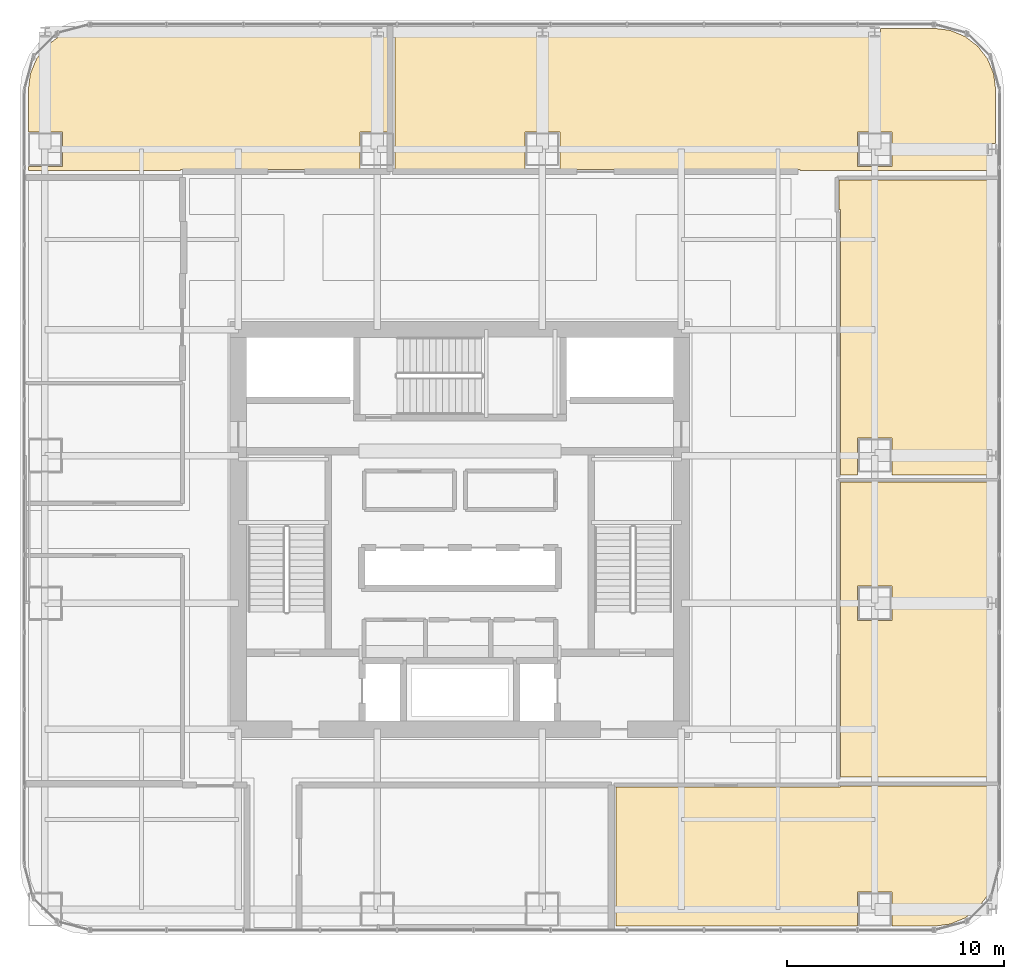
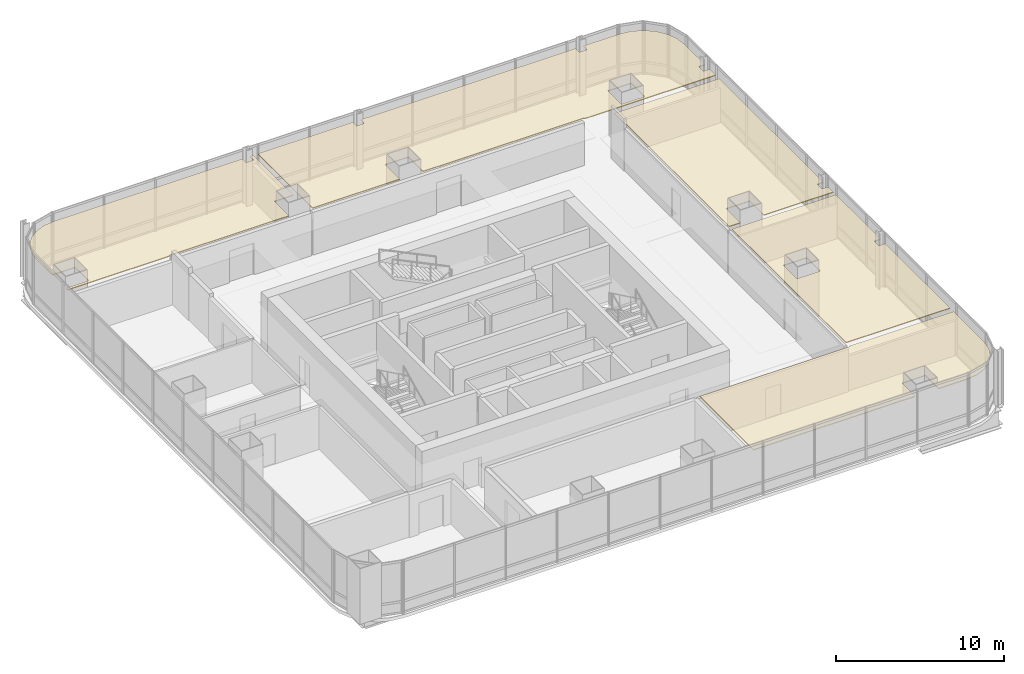
# One storey, part 34 of 34: 5 coverings.
"""IFC4 building model written with IfcOpenShell, lengths in metres."""

from ifc_helpers import new_model, si_unit, direction, frame, origin, place, context, subcontext, project, spatial, polyline, outline, extrude, material, layer, layer_set, type_object, element, save


model = new_model("IFC4")

# Units and contexts
model_context = context("Model", 3, precision=1e-05, world=origin(), true_north=direction((0.0, 1.0)))
body_context = subcontext(model_context, "Body", "Model", "MODEL_VIEW")
ifc_project = project(units=[si_unit("LENGTHUNIT", "METRE"), si_unit("AREAUNIT", "SQUARE_METRE"), si_unit("VOLUMEUNIT", "CUBIC_METRE"), si_unit("PLANEANGLEUNIT", "RADIAN"), si_unit("MASSUNIT", "GRAM", prefix="KILO")], contexts=[model_context])

# Site, building, storey
site_placement = place(None, origin())
site = spatial("IfcSite", under=ifc_project, at=site_placement, CompositionType="ELEMENT")
building_placement = place(site_placement, origin())
building = spatial("IfcBuilding", under=site, at=building_placement, Name="Punatoya Terracotta Tower", CompositionType="ELEMENT")
storey_placement = place(building_placement, frame((0.0, 0.0, 97.050048828125)))
storey = spatial("IfcBuildingStorey", under=building, at=storey_placement, Name="L22", CompositionType="ELEMENT", Elevation=97.050048828125)

# Coverings
ifc_material = material(Name="Acoustic Mineral Fibre Ceiling")
ifc_layer = layer(ifc_material, 0.06005859375)
ifc_layer_set = layer_set([ifc_layer], Name="Acoustic Mineral Fibre Ceiling")
covering_type = type_object("IfcCoveringType", Name="COV-CEIL-60", PredefinedType="CEILING", material=ifc_layer_set)
covering_1_placement = place(storey_placement, frame((0.0, 0.0, 3.199951171875)))
element("IfcCovering", 1, at=covering_1_placement, inside=storey, type_object=covering_type, Name="L22 Open-Plan Catering Tea Pantry Acoustic Ceiling", PredefinedType="CEILING", context=body_context, shape_type="SweptSolid", body=[
    extrude(outline(polyline([(17.52001953125, -11.8701171875), (7.18994140625, -11.8701171875), (7.18994140625, -18.27001953125), (18.300048828125, -18.27001953125), (18.300048828125, -16.699951171875), (19.89990234375, -16.699951171875), (19.89990234375, -18.27001953125), (21.8251953125, -18.27001953125), (22.5791015625, -18.1708984375), (23.25830078125, -17.889404296875), (23.841796875, -17.441650390625), (24.289306640625, -16.8583984375), (24.57080078125, -16.178955078125), (24.669921875, -15.425048828125), (24.669921875, -11.81005859375), (17.52001953125, -11.81005859375), (17.52001953125, -11.8701171875)])), origin(), (0.0, 0.0, 1.0), 0.06005859375),
])
covering_2_placement = place(storey_placement, frame((0.0, 0.0, 3.199951171875)))
element("IfcCovering", 2, at=covering_2_placement, inside=storey, type_object=covering_type, Name="L22 Open-Plan Private Dining Boardroom Acoustic Ceiling", PredefinedType="CEILING", context=body_context, shape_type="SweptSolid", body=[
    extrude(outline(polyline([(24.669921875, -3.126953125), (24.669921875, 2.18994140625), (17.52001953125, 2.18994140625), (17.52001953125, -11.389892578125), (24.669921875, -11.389892578125), (24.669921875, -3.673095703125), (24.241943359375, -3.673095703125), (24.241943359375, -3.126953125), (24.669921875, -3.126953125)]), holes=[polyline([(18.300048828125, -4.199951171875), (18.300048828125, -2.60009765625), (19.89990234375, -2.60009765625), (19.89990234375, -4.199951171875), (18.300048828125, -4.199951171875)])]), origin(), (0.0, 0.0, 1.0), 0.06005859375),
])
covering_3_placement = place(storey_placement, frame((0.0, 0.0, 3.199951171875)))
element("IfcCovering", 3, at=covering_3_placement, inside=storey, type_object=covering_type, Name="L22 Open-Plan Barista Espresso Pantry Acoustic Ceiling", PredefinedType="CEILING", context=body_context, shape_type="SweptSolid", body=[
    extrude(outline(polyline([(17.4599609375, 14.719970703125), (17.52001953125, 14.719970703125), (17.52001953125, 2.510009765625), (18.300048828125, 2.510009765625), (18.300048828125, 4.199951171875), (19.89990234375, 4.199951171875), (19.89990234375, 2.510009765625), (24.669921875, 2.510009765625), (24.669921875, 3.126953125), (24.241943359375, 3.126953125), (24.241943359375, 3.673095703125), (24.669921875, 3.673095703125), (24.669921875, 16.090087890625), (17.4599609375, 16.090087890625), (17.4599609375, 14.719970703125)])), origin(), (0.0, 0.0, 1.0), 0.06005859375),
])
covering_4_placement = place(storey_placement, frame((0.0, 0.0, 3.199951171875)))
element("IfcCovering", 4, at=covering_4_placement, inside=storey, type_object=covering_type, Name="L22 Open-Plan Terrace Refreshment Lounge Acoustic Ceiling", PredefinedType="CEILING", context=body_context, shape_type="SweptSolid", body=[
    extrude(outline(polyline([(-17.779052734375, 22.970703125), (-18.458251953125, 22.689453125), (-19.041748046875, 22.24169921875), (-19.489501953125, 21.658203125), (-19.770751953125, 20.97900390625), (-19.8701171875, 20.22509765625), (-19.8701171875, 18.300048828125), (-18.300048828125, 18.300048828125), (-18.300048828125, 16.699951171875), (-19.8701171875, 16.699951171875), (-19.8701171875, 16.510009765625), (-12.8701171875, 16.510009765625), (-12.8701171875, 16.570068359375), (-4.60009765625, 16.570068359375), (-4.60009765625, 18.300048828125), (-3.31591796875, 18.300048828125), (-3.31591796875, 23.070068359375), (-3.5419921875, 23.070068359375), (-3.5419921875, 22.626953125), (-4.05810546875, 22.626953125), (-4.05810546875, 23.070068359375), (-17.025146484375, 23.070068359375), (-17.779052734375, 22.970703125)])), origin(), (0.0, 0.0, 1.0), 0.06005859375),
])
covering_5_placement = place(storey_placement, frame((0.0, 0.0, 3.199951171875)))
element("IfcCovering", 5, at=covering_5_placement, inside=storey, type_object=covering_type, Name="L22 Hospitality Hosting Lounge Acoustic Ceiling", PredefinedType="CEILING", context=body_context, shape_type="SweptSolid", body=[
    extrude(outline(polyline([(3.0, 16.570068359375), (3.0, 18.300048828125), (4.60009765625, 18.300048828125), (4.60009765625, 16.570068359375), (15.669921875, 16.570068359375), (15.669921875, 16.510009765625), (24.669921875, 16.510009765625), (24.669921875, 17.22705078125), (24.241943359375, 17.22705078125), (24.241943359375, 17.77294921875), (24.669921875, 17.77294921875), (24.669921875, 20.22509765625), (24.57080078125, 20.97900390625), (24.289306640625, 21.658203125), (23.841796875, 22.24169921875), (23.25830078125, 22.689453125), (22.5791015625, 22.970703125), (21.8251953125, 23.070068359375), (19.35791015625, 23.070068359375), (19.35791015625, 22.626953125), (18.842041015625, 22.626953125), (18.842041015625, 23.070068359375), (4.05810546875, 23.070068359375), (4.05810546875, 22.626953125), (3.5419921875, 22.626953125), (3.5419921875, 23.070068359375), (-2.99609375, 23.070068359375), (-2.99609375, 16.570068359375), (3.0, 16.570068359375)]), holes=[polyline([(19.89990234375, 18.300048828125), (19.89990234375, 16.699951171875), (18.300048828125, 16.699951171875), (18.300048828125, 18.300048828125), (19.89990234375, 18.300048828125)])]), origin(), (0.0, 0.0, 1.0), 0.06005859375),
])

save(model, "model.ifc")
